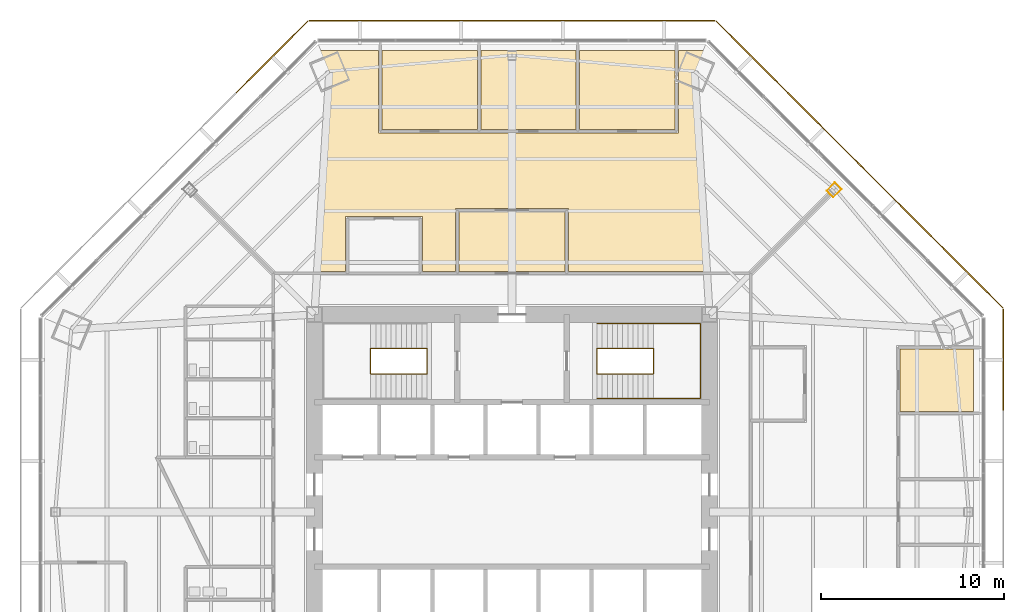
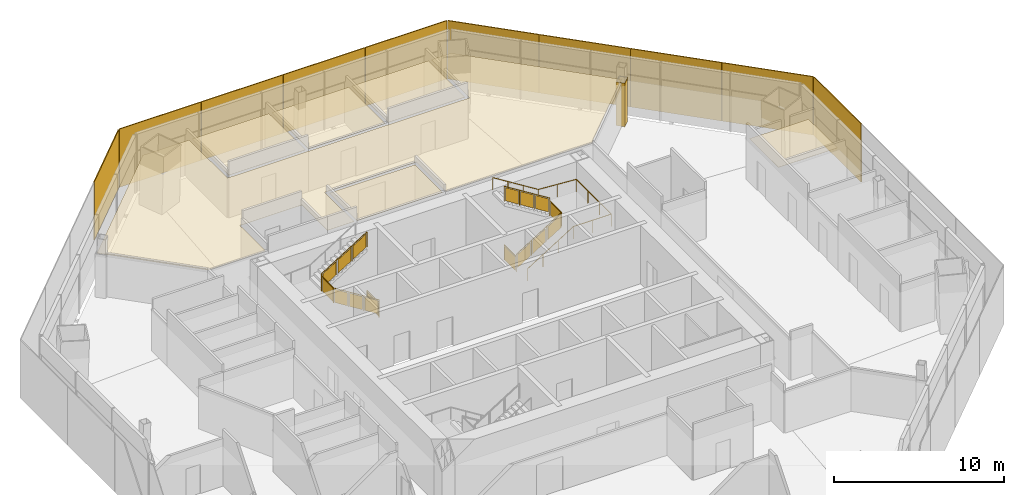
# One storey, part 15 of 16: 10 shading devices, 7 coverings, 3 railings.
"""IFC4 building model written with IfcOpenShell, lengths in metres."""

from ifc_helpers import new_model, si_unit, direction, frame, origin, origin_2d, place, context, subcontext, project, spatial, polyline, rectangle, circle, outline, extrude, source, transform, mapped, material, layer, layer_set, type_object, type_shapes, element, save


model = new_model("IFC4")

# Units and contexts
model_context = context("Model", 3, precision=1e-05, world=origin(), true_north=direction((0.0, 1.0)))
body_context = subcontext(model_context, "Body", "Model", "MODEL_VIEW")
ifc_project = project(units=[si_unit("LENGTHUNIT", "METRE"), si_unit("AREAUNIT", "SQUARE_METRE"), si_unit("VOLUMEUNIT", "CUBIC_METRE"), si_unit("PLANEANGLEUNIT", "RADIAN"), si_unit("MASSUNIT", "GRAM", prefix="KILO")], contexts=[model_context])

# Site, building, storey
site_placement = place(None, origin())
site = spatial("IfcSite", under=ifc_project, at=site_placement, CompositionType="ELEMENT")
building_placement = place(site_placement, origin())
building = spatial("IfcBuilding", under=site, at=building_placement, Name="Mashrafa Tower", CompositionType="ELEMENT")
storey_placement = place(building_placement, frame((0.0, 0.0, 79.199951171875)))
storey = spatial("IfcBuildingStorey", under=building, at=storey_placement, Name="L17", CompositionType="ELEMENT", Elevation=79.199951171875)

# Covering
ifc_material_1 = material(Name="Gypsum board")
ifc_layer_1 = layer(ifc_material_1, 0.014892578125)
ifc_layer_set_1 = layer_set([ifc_layer_1], Name="Column casing plasterboard 15")
covering_type_1 = type_object("IfcCoveringType", Name="Column casing plasterboard 15", PredefinedType="CLADDING", material=ifc_layer_set_1)
covering_1_placement = place(storey_placement, origin())
element("IfcCovering", 1, at=covering_1_placement, inside=storey, type_object=covering_type_1, Name="Column casing L17-001", PredefinedType="CLADDING", context=body_context, shape_type="SweptSolid", body=[
    extrude(outline(polyline([(17.20068359375, 17.575439453125), (17.659423828125, 18.0341796875), (18.0341796875, 17.659423828125), (17.575439453125, 17.20068359375), (17.20068359375, 17.575439453125)]), holes=[polyline([(18.01318359375, 17.659423828125), (17.659423828125, 18.01318359375), (17.2216796875, 17.575439453125), (17.575439453125, 17.2216796875), (18.01318359375, 17.659423828125)])]), origin(), (0.0, 0.0, 1.0), 3.113037109375),
])

# Railings
ifc_material_2 = material(Name="Steel guard with glass infill", Category="steel")
railing_type_1 = type_object("IfcRailingType", Name="Stair guard 1100", PredefinedType="GUARDRAIL", material=ifc_material_2)
railing_1_placement = place(storey_placement, frame((-4.64990234375, 8.949951171875, 0.0)))
element("IfcRailing", 2, at=railing_1_placement, inside=storey, type_object=railing_type_1, Name="Stair S1 guard L17", PredefinedType="GUARDRAIL", context=body_context, shape_type="SweptSolid", body=[
    extrude(circle(Radius=0.02392578125, at=origin_2d()), frame((0.0, 0.0, 1.076171875), z_axis=(0.0, -1.0, 0.0), x_axis=(1.0, 0.0, 0.0)), (0.0, 0.0, 1.0), 1.39990234375),
    extrude(circle(Radius=0.02392578125, at=origin_2d()), frame((0.0, -1.39990234375, 1.076171875), z_axis=(0.0, 0.0, 1.0), x_axis=(1.0, 0.0, 0.0)), (0.0, 0.0, 1.0), 0.175048828125),
    extrude(circle(Radius=0.02392578125, at=origin_2d()), frame((0.0, -1.39990234375, 1.2509765625), z_axis=(-0.847998304005, 0.0, 0.529998940003), x_axis=(0.0, -1.0, 0.0)), (0.0, 0.0, 1.0), 3.632080078125),
    extrude(circle(Radius=0.02392578125, at=origin_2d()), frame((-3.080078125, -1.39990234375, 3.17626953125), z_axis=(0.0, 1.0, 0.0), x_axis=(-1.0, 0.0, 0.0)), (0.0, 0.0, 1.0), 1.39990234375),
    extrude(circle(Radius=0.02392578125, at=origin_2d()), frame((-3.080078125, 0.0, 3.17626953125), z_axis=(0.0, 0.0, 1.0), x_axis=(1.0, 0.0, 0.0)), (0.0, 0.0, 1.0), 0.175048828125),
    extrude(circle(Radius=0.02392578125, at=origin_2d()), frame((-3.080078125, 0.0, 3.35107421875), z_axis=(0.848028513186, 0.0, 0.529950602248), x_axis=(0.0, 1.0, 0.0)), (0.0, 0.0, 1.0), 3.632080078125),
    extrude(circle(Radius=0.02099609375, at=origin_2d()), origin(), (0.0, 0.0, 1.0), 1.052001953125),
    extrude(circle(Radius=0.02099609375, at=origin_2d()), frame((0.0, -1.39990234375, 0.0)), (0.0, 0.0, 1.0), 1.052001953125),
    extrude(circle(Radius=0.02099609375, at=origin_2d()), frame((0.0, -1.39990234375, 0.175048828125)), (0.0, 0.0, 1.0), 1.052001953125),
    extrude(circle(Radius=0.02099609375, at=origin_2d()), frame((-1.026611328125, -1.39990234375, 0.816650390625)), (0.0, 0.0, 1.0), 1.052001953125),
    extrude(circle(Radius=0.02099609375, at=origin_2d()), frame((-2.053466796875, -1.39990234375, 1.45849609375)), (0.0, 0.0, 1.0), 1.052001953125),
    extrude(circle(Radius=0.02099609375, at=origin_2d()), frame((-3.080078125, -1.39990234375, 2.10009765625)), (0.0, 0.0, 1.0), 1.052001953125),
    extrude(circle(Radius=0.02099609375, at=origin_2d()), frame((-3.080078125, 0.0, 2.10009765625)), (0.0, 0.0, 1.0), 1.052001953125),
    extrude(circle(Radius=0.02099609375, at=origin_2d()), frame((-3.080078125, 0.0, 2.275146484375)), (0.0, 0.0, 1.0), 1.052001953125),
    extrude(circle(Radius=0.02099609375, at=origin_2d()), frame((-2.053466796875, 0.0, 2.916748046875)), (0.0, 0.0, 1.0), 1.052001953125),
    extrude(circle(Radius=0.02099609375, at=origin_2d()), frame((-1.026611328125, 0.0, 3.558349609375)), (0.0, 0.0, 1.0), 1.052001953125),
    extrude(circle(Radius=0.02099609375, at=origin_2d()), frame((0.0, 0.0, 4.199951171875)), (0.0, 0.0, 1.0), 1.052001953125),
    extrude(outline(polyline([(0.071044921875, 0.050048828125), (1.328857421875, 0.050048828125), (1.328857421875, 1.001953125), (0.071044921875, 1.001953125), (0.071044921875, 0.050048828125)])), frame((-0.006103515625, 0.0, 0.0), z_axis=(-1.0, 0.0, 0.0), x_axis=(0.0, -1.0, 0.0)), (0.0, 0.0, 1.0), 0.011962890625),
    extrude(outline(polyline([(0.071044921875, 0.094482421875), (0.955810546875, 0.647216796875), (0.955810546875, 1.599365234375), (0.071044921875, 1.04638671875), (0.071044921875, 0.094482421875)])), frame((0.0, -1.393798828125, 0.175048828125), z_axis=(0.0, 1.0, 0.0), x_axis=(-1.0, 0.0, 0.0)), (0.0, 0.0, 1.0), 0.011962890625),
    extrude(outline(polyline([(1.09765625, 0.736083984375), (1.982421875, 1.2890625), (1.982421875, 2.240966796875), (1.09765625, 1.68798828125), (1.09765625, 0.736083984375)])), frame((0.0, -1.393798828125, 0.175048828125), z_axis=(0.0, 1.0, 0.0), x_axis=(-1.0, 0.0, 0.0)), (0.0, 0.0, 1.0), 0.011962890625),
    extrude(outline(polyline([(2.124267578125, 1.377685546875), (3.009033203125, 1.9306640625), (3.009033203125, 2.882568359375), (2.124267578125, 2.329833984375), (2.124267578125, 1.377685546875)])), frame((0.0, -1.393798828125, 0.175048828125), z_axis=(0.0, 1.0, 0.0), x_axis=(-1.0, 0.0, 0.0)), (0.0, 0.0, 1.0), 0.011962890625),
    extrude(outline(polyline([(0.071044921875, 0.050048828125), (1.328857421875, 0.050048828125), (1.328857421875, 1.001953125), (0.071044921875, 1.001953125), (0.071044921875, 0.050048828125)])), frame((-3.073974609375, -1.39990234375, 2.10009765625), z_axis=(1.0, 0.0, 0.0), x_axis=(0.0, 1.0, 0.0)), (0.0, 0.0, 1.0), 0.011962890625),
    extrude(outline(polyline([(0.071044921875, 0.094482421875), (0.955810546875, 0.647216796875), (0.955810546875, 1.59912109375), (0.071044921875, 1.04638671875), (0.071044921875, 0.094482421875)])), frame((-3.080078125, -0.006103515625, 2.275146484375), z_axis=(0.0, -1.0, 0.0), x_axis=(1.0, 0.0, 0.0)), (0.0, 0.0, 1.0), 0.011962890625),
    extrude(outline(polyline([(1.09765625, 0.736083984375), (1.982421875, 1.288818359375), (1.982421875, 2.24072265625), (1.09765625, 1.68798828125), (1.09765625, 0.736083984375)])), frame((-3.080078125, -0.006103515625, 2.275146484375), z_axis=(0.0, -1.0, 0.0), x_axis=(1.0, 0.0, 0.0)), (0.0, 0.0, 1.0), 0.011962890625),
    extrude(outline(polyline([(2.124267578125, 1.377685546875), (3.009033203125, 1.930419921875), (3.009033203125, 2.88232421875), (2.124267578125, 2.32958984375), (2.124267578125, 1.377685546875)])), frame((-3.080078125, -0.006103515625, 2.275146484375), z_axis=(0.0, -1.0, 0.0), x_axis=(1.0, 0.0, 0.0)), (0.0, 0.0, 1.0), 0.011962890625),
])
railing_2_placement = place(storey_placement, frame((4.64990234375, 8.949951171875, 0.0)))
element("IfcRailing", 3, at=railing_2_placement, inside=storey, type_object=railing_type_1, Name="Stair S2 guard L17", PredefinedType="GUARDRAIL", context=body_context, shape_type="SweptSolid", body=[
    extrude(circle(Radius=0.02392578125, at=origin_2d()), frame((0.0, 0.0, 1.076171875), z_axis=(0.0, -1.0, 0.0), x_axis=(1.0, 0.0, 0.0)), (0.0, 0.0, 1.0), 1.39990234375),
    extrude(circle(Radius=0.02392578125, at=origin_2d()), frame((0.0, -1.39990234375, 1.076171875), z_axis=(0.0, 0.0, 1.0), x_axis=(1.0, 0.0, 0.0)), (0.0, 0.0, 1.0), 0.175048828125),
    extrude(circle(Radius=0.02392578125, at=origin_2d()), frame((0.0, -1.39990234375, 1.2509765625), z_axis=(0.847998304005, 0.0, 0.529998940003), x_axis=(0.0, 1.0, 0.0)), (0.0, 0.0, 1.0), 3.632080078125),
    extrude(circle(Radius=0.02392578125, at=origin_2d()), frame((3.080078125, -1.39990234375, 3.17626953125), z_axis=(0.0, 1.0, 0.0), x_axis=(-1.0, 0.0, 0.0)), (0.0, 0.0, 1.0), 1.39990234375),
    extrude(circle(Radius=0.02392578125, at=origin_2d()), frame((3.080078125, 0.0, 3.17626953125), z_axis=(0.0, 0.0, 1.0), x_axis=(1.0, 0.0, 0.0)), (0.0, 0.0, 1.0), 0.175048828125),
    extrude(circle(Radius=0.02392578125, at=origin_2d()), frame((3.080078125, 0.0, 3.35107421875), z_axis=(-0.848028513186, 0.0, 0.529950602248), x_axis=(0.0, -1.0, 0.0)), (0.0, 0.0, 1.0), 3.632080078125),
    extrude(circle(Radius=0.02099609375, at=origin_2d()), origin(), (0.0, 0.0, 1.0), 1.052001953125),
    extrude(circle(Radius=0.02099609375, at=origin_2d()), frame((0.0, -1.39990234375, 0.0)), (0.0, 0.0, 1.0), 1.052001953125),
    extrude(circle(Radius=0.02099609375, at=origin_2d()), frame((0.0, -1.39990234375, 0.175048828125)), (0.0, 0.0, 1.0), 1.052001953125),
    extrude(circle(Radius=0.02099609375, at=origin_2d()), frame((1.026611328125, -1.39990234375, 0.816650390625)), (0.0, 0.0, 1.0), 1.052001953125),
    extrude(circle(Radius=0.02099609375, at=origin_2d()), frame((2.053466796875, -1.39990234375, 1.45849609375)), (0.0, 0.0, 1.0), 1.052001953125),
    extrude(circle(Radius=0.02099609375, at=origin_2d()), frame((3.080078125, -1.39990234375, 2.10009765625)), (0.0, 0.0, 1.0), 1.052001953125),
    extrude(circle(Radius=0.02099609375, at=origin_2d()), frame((3.080078125, 0.0, 2.10009765625)), (0.0, 0.0, 1.0), 1.052001953125),
    extrude(circle(Radius=0.02099609375, at=origin_2d()), frame((3.080078125, 0.0, 2.275146484375)), (0.0, 0.0, 1.0), 1.052001953125),
    extrude(circle(Radius=0.02099609375, at=origin_2d()), frame((2.053466796875, 0.0, 2.916748046875)), (0.0, 0.0, 1.0), 1.052001953125),
    extrude(circle(Radius=0.02099609375, at=origin_2d()), frame((1.026611328125, 0.0, 3.558349609375)), (0.0, 0.0, 1.0), 1.052001953125),
    extrude(circle(Radius=0.02099609375, at=origin_2d()), frame((0.0, 0.0, 4.199951171875)), (0.0, 0.0, 1.0), 1.052001953125),
    extrude(outline(polyline([(0.071044921875, 0.050048828125), (1.328857421875, 0.050048828125), (1.328857421875, 1.001953125), (0.071044921875, 1.001953125), (0.071044921875, 0.050048828125)])), frame((-0.006103515625, 0.0, 0.0), z_axis=(-1.0, 0.0, 0.0), x_axis=(0.0, -1.0, 0.0)), (0.0, 0.0, 1.0), 0.011962890625),
    extrude(outline(polyline([(0.071044921875, 0.094482421875), (0.955810546875, 0.647216796875), (0.955810546875, 1.599365234375), (0.071044921875, 1.04638671875), (0.071044921875, 0.094482421875)])), frame((0.0, -1.406005859375, 0.175048828125), z_axis=(0.0, -1.0, 0.0), x_axis=(1.0, 0.0, 0.0)), (0.0, 0.0, 1.0), 0.011962890625),
    extrude(outline(polyline([(1.09765625, 0.736083984375), (1.982421875, 1.2890625), (1.982421875, 2.240966796875), (1.09765625, 1.68798828125), (1.09765625, 0.736083984375)])), frame((0.0, -1.406005859375, 0.175048828125), z_axis=(0.0, -1.0, 0.0), x_axis=(1.0, 0.0, 0.0)), (0.0, 0.0, 1.0), 0.011962890625),
    extrude(outline(polyline([(2.124267578125, 1.377685546875), (3.009033203125, 1.9306640625), (3.009033203125, 2.882568359375), (2.124267578125, 2.329833984375), (2.124267578125, 1.377685546875)])), frame((0.0, -1.406005859375, 0.175048828125), z_axis=(0.0, -1.0, 0.0), x_axis=(1.0, 0.0, 0.0)), (0.0, 0.0, 1.0), 0.011962890625),
    extrude(outline(polyline([(0.071044921875, 0.050048828125), (1.328857421875, 0.050048828125), (1.328857421875, 1.001953125), (0.071044921875, 1.001953125), (0.071044921875, 0.050048828125)])), frame((3.086181640625, -1.39990234375, 2.10009765625), z_axis=(1.0, 0.0, 0.0), x_axis=(0.0, 1.0, 0.0)), (0.0, 0.0, 1.0), 0.011962890625),
    extrude(outline(polyline([(0.071044921875, 0.094482421875), (0.955810546875, 0.647216796875), (0.955810546875, 1.59912109375), (0.071044921875, 1.04638671875), (0.071044921875, 0.094482421875)])), frame((3.080078125, 0.006103515625, 2.275146484375), z_axis=(0.0, 1.0, 0.0), x_axis=(-1.0, 0.0, 0.0)), (0.0, 0.0, 1.0), 0.011962890625),
    extrude(outline(polyline([(1.09765625, 0.736083984375), (1.982421875, 1.288818359375), (1.982421875, 2.24072265625), (1.09765625, 1.68798828125), (1.09765625, 0.736083984375)])), frame((3.080078125, 0.006103515625, 2.275146484375), z_axis=(0.0, 1.0, 0.0), x_axis=(-1.0, 0.0, 0.0)), (0.0, 0.0, 1.0), 0.011962890625),
    extrude(outline(polyline([(2.124267578125, 1.377685546875), (3.009033203125, 1.930419921875), (3.009033203125, 2.88232421875), (2.124267578125, 2.32958984375), (2.124267578125, 1.377685546875)])), frame((3.080078125, 0.006103515625, 2.275146484375), z_axis=(0.0, 1.0, 0.0), x_axis=(-1.0, 0.0, 0.0)), (0.0, 0.0, 1.0), 0.011962890625),
])
ifc_material_3 = material(Name="Steel", Category="steel")
railing_type_2 = type_object("IfcRailingType", Name="Stair handrail 900", PredefinedType="HANDRAIL", material=ifc_material_3)
railing_3_placement = place(storey_placement, frame((4.64990234375, 6.199951171875, 0.175048828125)))
element("IfcRailing", 4, at=railing_3_placement, inside=storey, type_object=railing_type_2, Name="Stair S2 handrail L17", PredefinedType="HANDRAIL", context=body_context, shape_type="SweptSolid", body=[
    extrude(circle(Radius=0.02392578125, at=origin_2d()), frame((0.0, 0.0, 0.8759765625), z_axis=(0.847998304005, 0.0, 0.529998940003), x_axis=(0.0, 1.0, 0.0)), (0.0, 0.0, 1.0), 3.632080078125),
    extrude(circle(Radius=0.02392578125, at=origin_2d()), frame((3.080078125, 0.0, 2.80078125), z_axis=(1.0, 0.0, 0.0), x_axis=(0.0, 1.0, 0.0)), (0.0, 0.0, 1.0), 2.570068359375),
    extrude(circle(Radius=0.02392578125, at=origin_2d()), frame((5.650146484375, 0.0, 2.80078125), z_axis=(0.0, 1.0, 0.0), x_axis=(-1.0, 0.0, 0.0)), (0.0, 0.0, 1.0), 4.10009765625),
    extrude(circle(Radius=0.02392578125, at=origin_2d()), frame((5.650146484375, 4.10009765625, 2.80078125), z_axis=(-0.997688514158, 0.0, 0.067953136188), x_axis=(0.0, -1.0, 0.0)), (0.0, 0.0, 1.0), 2.575927734375),
    extrude(circle(Radius=0.02392578125, at=origin_2d()), frame((3.080078125, 4.10009765625, 2.97607421875), z_axis=(-0.848028513186, 0.0, 0.529950602248), x_axis=(0.0, -1.0, 0.0)), (0.0, 0.0, 1.0), 3.632080078125),
    extrude(circle(Radius=0.02099609375, at=origin_2d()), origin(), (0.0, 0.0, 1.0), 0.851806640625),
    extrude(circle(Radius=0.02099609375, at=origin_2d()), frame((1.026611328125, 0.0, 0.6416015625)), (0.0, 0.0, 1.0), 0.851806640625),
    extrude(circle(Radius=0.02099609375, at=origin_2d()), frame((2.053466796875, 0.0, 1.283447265625)), (0.0, 0.0, 1.0), 0.851806640625),
    extrude(circle(Radius=0.02099609375, at=origin_2d()), frame((3.080078125, 0.0, 1.925048828125)), (0.0, 0.0, 1.0), 0.851806640625),
    extrude(circle(Radius=0.02099609375, at=origin_2d()), frame((4.365234375, 0.0, 1.925048828125)), (0.0, 0.0, 1.0), 0.851806640625),
    extrude(circle(Radius=0.02099609375, at=origin_2d()), frame((5.650146484375, 0.0, 1.925048828125)), (0.0, 0.0, 1.0), 0.851806640625),
    extrude(circle(Radius=0.02099609375, at=origin_2d()), frame((5.650146484375, 1.36669921875, 1.925048828125)), (0.0, 0.0, 1.0), 0.851806640625),
    extrude(circle(Radius=0.02099609375, at=origin_2d()), frame((5.650146484375, 2.7333984375, 1.925048828125)), (0.0, 0.0, 1.0), 0.851806640625),
    extrude(circle(Radius=0.02099609375, at=origin_2d()), frame((5.650146484375, 4.10009765625, 1.925048828125)), (0.0, 0.0, 1.0), 0.851806640625),
    extrude(circle(Radius=0.02099609375, at=origin_2d()), frame((4.365234375, 4.10009765625, 2.0126953125)), (0.0, 0.0, 1.0), 0.851806640625),
    extrude(circle(Radius=0.02099609375, at=origin_2d()), frame((3.080078125, 4.10009765625, 2.10009765625)), (0.0, 0.0, 1.0), 0.851806640625),
    extrude(circle(Radius=0.02099609375, at=origin_2d()), frame((2.053466796875, 4.10009765625, 2.74169921875)), (0.0, 0.0, 1.0), 0.851806640625),
    extrude(circle(Radius=0.02099609375, at=origin_2d()), frame((1.026611328125, 4.10009765625, 3.38330078125)), (0.0, 0.0, 1.0), 0.851806640625),
    extrude(circle(Radius=0.02099609375, at=origin_2d()), frame((0.0, 4.10009765625, 4.02490234375)), (0.0, 0.0, 1.0), 0.851806640625),
])

# Coverings
ifc_material_4 = material(Name="Mineral fibre tile on suspension grid")
ifc_layer_2 = layer(ifc_material_4, 0.014892578125)
ifc_layer_set_2 = layer_set([ifc_layer_2], Name="Suspended ceiling mineral tile 15")
covering_type_2 = type_object("IfcCoveringType", Name="Suspended ceiling mineral tile 15", PredefinedType="CEILING", material=ifc_layer_set_2)
covering_2_placement = place(storey_placement, frame((0.0, 0.0, 2.900146484375)))
element("IfcCovering", 5, at=covering_2_placement, inside=storey, type_object=covering_type_2, Name="Ceiling Reception 17-N", PredefinedType="CEILING", context=body_context, shape_type="SweptSolid", body=[
    extrude(outline(polyline([(-2.89990234375, 16.39990234375), (2.89990234375, 16.39990234375), (2.89990234375, 13.14990234375), (-2.89990234375, 13.14990234375), (-2.89990234375, 16.39990234375)])), origin(), (0.0, 0.0, 1.0), 0.014892578125),
])
covering_3_placement = place(storey_placement, frame((0.0, 0.0, 2.900146484375)))
element("IfcCovering", 6, at=covering_3_placement, inside=storey, type_object=covering_type_2, Name="Ceiling Meeting Room 17-N-1", PredefinedType="CEILING", context=body_context, shape_type="SweptSolid", body=[
    extrude(outline(polyline([(3.699951171875, 25.224365234375), (8.89990234375, 25.224365234375), (8.89990234375, 20.92431640625), (3.699951171875, 20.92431640625), (3.699951171875, 25.224365234375)])), origin(), (0.0, 0.0, 1.0), 0.014892578125),
])
covering_4_placement = place(storey_placement, frame((0.0, 0.0, 2.900146484375)))
element("IfcCovering", 7, at=covering_4_placement, inside=storey, type_object=covering_type_2, Name="Ceiling Meeting Room 17-N-2", PredefinedType="CEILING", context=body_context, shape_type="SweptSolid", body=[
    extrude(outline(polyline([(-1.699951171875, 25.224365234375), (3.5, 25.224365234375), (3.5, 20.92431640625), (-1.699951171875, 20.92431640625), (-1.699951171875, 25.224365234375)])), origin(), (0.0, 0.0, 1.0), 0.014892578125),
])
covering_5_placement = place(storey_placement, frame((0.0, 0.0, 2.900146484375)))
element("IfcCovering", 8, at=covering_5_placement, inside=storey, type_object=covering_type_2, Name="Ceiling Meeting Room 17-N-3", PredefinedType="CEILING", context=body_context, shape_type="SweptSolid", body=[
    extrude(outline(polyline([(-7.10009765625, 25.224365234375), (-1.89990234375, 25.224365234375), (-1.89990234375, 20.92431640625), (-7.10009765625, 20.92431640625), (-7.10009765625, 25.224365234375)])), origin(), (0.0, 0.0, 1.0), 0.014892578125),
])
covering_6_placement = place(storey_placement, frame((0.0, 0.0, 2.900146484375)))
element("IfcCovering", 9, at=covering_6_placement, inside=storey, type_object=covering_type_2, Name="Ceiling Office 17-E-5", PredefinedType="CEILING", context=body_context, shape_type="SweptSolid", body=[
    extrude(outline(polyline([(21.224365234375, 8.89990234375), (25.224365234375, 8.89990234375), (25.224365234375, 5.5), (21.224365234375, 5.5), (21.224365234375, 8.89990234375)])), origin(), (0.0, 0.0, 1.0), 0.014892578125),
])
covering_7_placement = place(storey_placement, frame((0.0, 0.0, 2.900146484375)))
element("IfcCovering", 10, at=covering_7_placement, inside=storey, type_object=covering_type_2, Name="Ceiling Office Tenancy 17-N", PredefinedType="CEILING", context=body_context, shape_type="SweptSolid", body=[
    extrude(outline(polyline([(-13.008544921875, 13.14990234375), (-17.765380859375, 17.906982421875), (-10.4482421875, 25.224365234375), (-7.300048828125, 25.224365234375), (-7.300048828125, 20.724365234375), (9.10009765625, 20.724365234375), (9.10009765625, 25.224365234375), (10.4482421875, 25.224365234375), (17.765380859375, 17.906982421875), (13.008544921875, 13.14990234375), (3.10009765625, 13.14990234375), (3.10009765625, 16.60009765625), (-3.10009765625, 16.60009765625), (-3.10009765625, 13.14990234375), (-4.89990234375, 13.14990234375), (-4.89990234375, 16.14990234375), (-9.10009765625, 16.14990234375), (-9.10009765625, 13.14990234375), (-13.008544921875, 13.14990234375)])), origin(), (0.0, 0.0, 1.0), 0.014892578125),
])

# Shading devices
ifc_material_5 = material(Name="Perforated aluminium plate, eight-point star pattern", Category="aluminium")
ifc_layer_3 = layer(ifc_material_5, 0.06005859375)
ifc_layer_set_3 = layer_set([ifc_layer_3], Name="Mashrabiya screen panel office zone 1, 45 percent open")
shading_device_type = type_object("IfcShadingDeviceType", Name="Mashrabiya screen panel office zone 1, 45 percent open", PredefinedType="SHUTTER", material=ifc_layer_set_3)
shared_shape = source(origin(), body_context, "Body", "SweptSolid", [
    extrude(rectangle(XDim=5.53466796875, YDim=0.06005859375, at=origin_2d()), origin(), (0.0, 0.0, 1.0), 4.179931640625),
])
type_shapes(shading_device_type, [shared_shape])
for number, where, z_axis, x_axis, name in (
    (11, (26.874267578125, 8.33203125, -0.14990234375), (0.0, 0.0, 1.0), (0.0, 1.0, 0.0), "Mashrabiya screen L17 east 4"),
    (12, (24.89453125, 13.111328125, -0.14990234375), (0.0, 0.0, 1.0), (-0.707106781187, 0.707106781187, 0.0), "Mashrabiya screen L17 north-east 1"),
    (13, (20.966796875, 17.0390625, -0.14990234375), (0.0, 0.0, 1.0), (-0.707106781187, 0.707106781187, 0.0), "Mashrabiya screen L17 north-east 2"),
    (14, (17.0390625, 20.966796875, -0.14990234375), (0.0, 0.0, 1.0), (-0.707106781187, 0.707106781187, 0.0), "Mashrabiya screen L17 north-east 3"),
    (15, (13.111328125, 24.89453125, -0.14990234375), (0.0, 0.0, 1.0), (-0.707106781187, 0.707106781187, 0.0), "Mashrabiya screen L17 north-east 4"),
    (16, (8.33203125, 26.874267578125, -0.14990234375), (0.0, 0.0, 1.0), (-1.0, 0.0, 0.0), "Mashrabiya screen L17 north 1"),
    (17, (2.77734375, 26.874267578125, -0.14990234375), (0.0, 0.0, 1.0), (-1.0, 0.0, 0.0), "Mashrabiya screen L17 north 2"),
    (18, (-2.77734375, 26.874267578125, -0.14990234375), (0.0, 0.0, 1.0), (-1.0, 0.0, 0.0), "Mashrabiya screen L17 north 3"),
    (19, (-8.33203125, 26.874267578125, -0.14990234375), (0.0, 0.0, 1.0), (-1.0, 0.0, 0.0), "Mashrabiya screen L17 north 4"),
    (20, (-13.111328125, 24.89453125, -0.14990234375), (0.0, 0.0, 1.0), (-0.707106781187, -0.707106781187, 0.0), "Mashrabiya screen L17 north-west 1"),
):
    element("IfcShadingDevice", number, at=place(storey_placement, frame(where, z_axis=z_axis, x_axis=x_axis)), inside=storey, type_object=shading_device_type, Name=name, PredefinedType="SHUTTER", context=body_context, shape_type="MappedRepresentation", body=[
        mapped(shared_shape, transform((0.0, 0.0, 0.0))),
    ])

save(model, "model.ifc")
